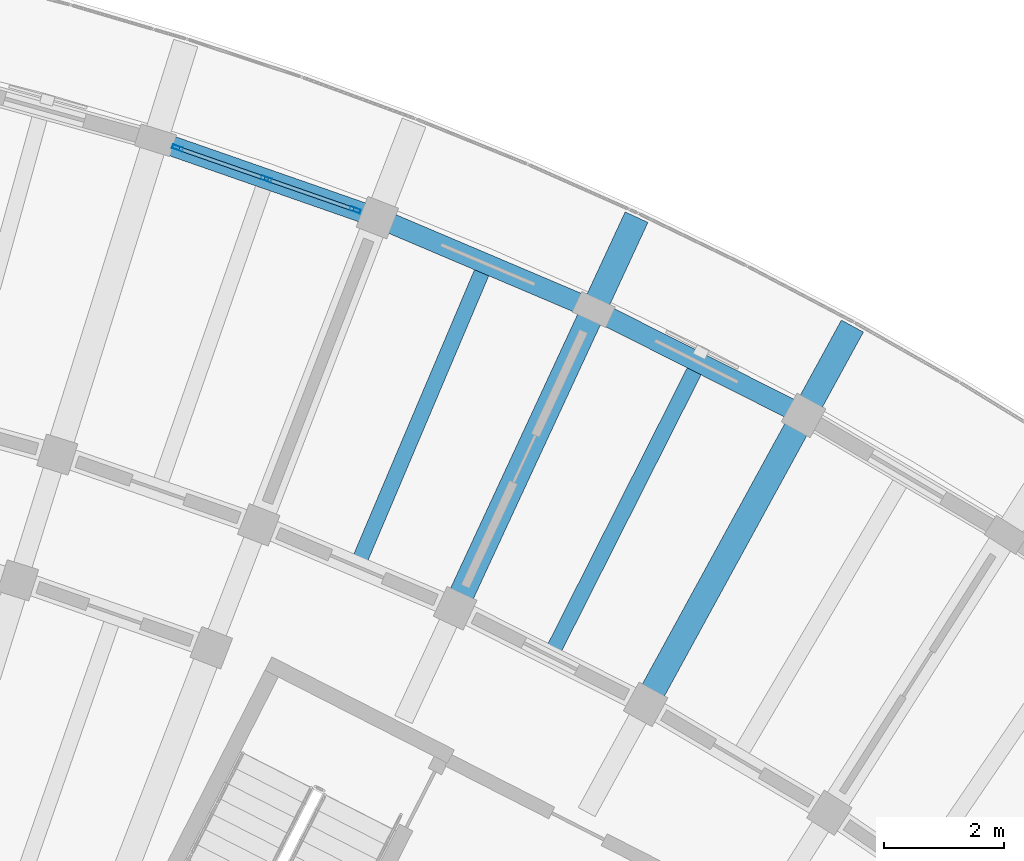
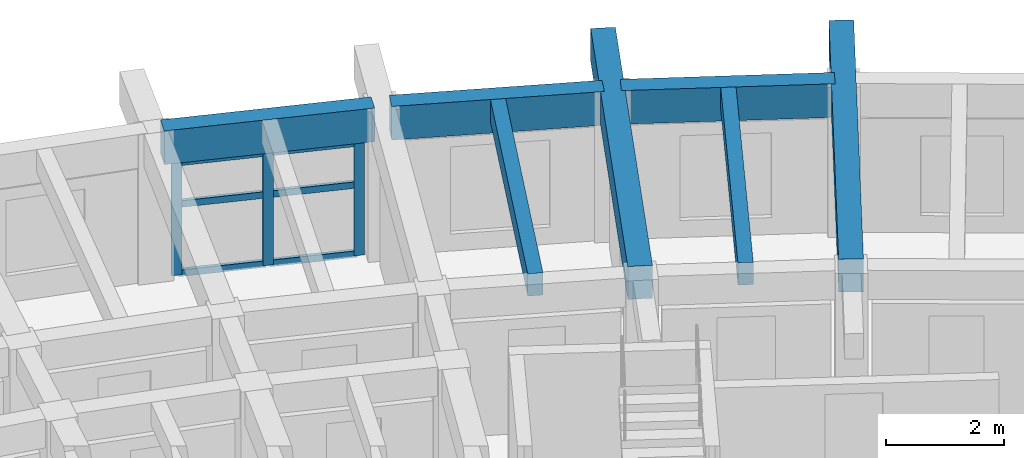
# One storey, part 40 of 96: 9 members, 7 beams, 1 element without a shape of its own.
"""IFC4 building model written with IfcOpenShell, lengths in metres."""

from ifc_helpers import new_model, si_unit, direction, frame, origin, origin_2d, place, context, subcontext, project, spatial, rectangle, hollow_rectangle, extrude, material, material_profile, profile_set, type_object, element, aggregate, save


model = new_model("IFC4")

# Units and contexts
model_context = context("Model", 3, precision=1e-05, world=origin(), true_north=direction((0.0, 1.0)))
body_context = subcontext(model_context, "Body", "Model", "MODEL_VIEW")
ifc_project = project(units=[si_unit("LENGTHUNIT", "METRE"), si_unit("AREAUNIT", "SQUARE_METRE"), si_unit("VOLUMEUNIT", "CUBIC_METRE"), si_unit("PLANEANGLEUNIT", "RADIAN"), si_unit("MASSUNIT", "GRAM", prefix="KILO")], contexts=[model_context])

# Site, building, storey
site_placement = place(None, origin())
site = spatial("IfcSite", under=ifc_project, at=site_placement, CompositionType="ELEMENT")
building_placement = place(site_placement, origin())
building = spatial("IfcBuilding", under=site, at=building_placement, Name="Tanwirah Colonnade Gardens", CompositionType="ELEMENT")
storey_placement = place(building_placement, frame((0.0, 0.0, 12.199951171875)))
storey = spatial("IfcBuildingStorey", under=building, at=storey_placement, Name="L03", CompositionType="ELEMENT", Elevation=12.199951171875)

# Beams
ifc_material_1 = material(Name="Precast concrete C45/55", Category="concrete")
ifc_material_profile_1 = material_profile(ifc_material_1, rectangle(XDim=0.419921875, YDim=0.679931640625, at=origin_2d()), Name="PC-BM 420x680")
ifc_profile_set_1 = profile_set([ifc_material_profile_1], Name="Precast concrete C45/55")
beam_type_1 = type_object("IfcBeamType", Name="BM-PC420", PredefinedType="BEAM", material=ifc_profile_set_1)
for number, where, z_axis, x_axis, name in (
    (1, (147.00048828125, 107.75634765625, 2.76513671875), (0.479686549155, 0.877439920769, 0.0), (-0.877439920769, 0.479686549155, 0.0), "Block B L03 Outer Radial Precast Girder 12"),
    (2, (143.810546875, 109.3662109375, 2.76513671875), (0.420855908645, 0.9071275016, 0.0), (-0.9071275016, 0.420855908645, 0.0), "Block B L03 Outer Radial Precast Girder 13"),
):
    element("IfcBeam", number, at=place(storey_placement, frame(where, z_axis=z_axis, x_axis=x_axis)), inside=storey, type_object=beam_type_1, Name=name, PredefinedType="BEAM", context=body_context, shape_type="SweptSolid", body=[
        extrude(rectangle(XDim=0.419921875, YDim=0.679931640625, at=origin_2d()), origin(), (0.0, 0.0, 1.0), 7.050048828125),
    ])

# Curtain wall, members
ifc_material_2 = material(Name="Bronze-anodised aluminium and solar-control low-E glass", Category="aluminium")
curtain_wall_type = type_object("IfcCurtainWallType", Name="CW-LOB", PredefinedType="NOTDEFINED", material=ifc_material_2)
curtain_wall_placement = place(storey_placement, origin())
curtain_wall = element("IfcCurtainWall", 3, at=curtain_wall_placement, inside=storey, type_object=curtain_wall_type, Name="Curtain Wall CW-B-L03-OUT-14", PredefinedType="NOTDEFINED")
ifc_material_3 = material(Name="Bronze-anodised aluminium", Category="aluminium")
ifc_material_profile_2 = material_profile(ifc_material_3, hollow_rectangle(XDim=0.06494140625, YDim=0.179931640625, WallThickness=0.00390625, at=origin_2d()), Name="CW-MUL 65x180x4")
ifc_profile_set_2 = profile_set([ifc_material_profile_2], Name="Bronze-anodised aluminium")
member_type_1 = type_object("IfcMemberType", Name="CWM-65x180", PredefinedType="MULLION", material=ifc_profile_set_2)
member_1_placement = place(storey_placement, frame((142.077880859375, 115.882568359375, 0.0), z_axis=(0.0, 0.0, 1.0), x_axis=(-0.329232195914, -0.944248993208, 0.0)))
member_1 = element("IfcMember", 4, at=member_1_placement, type_object=member_type_1, Name="CW-LOB mullion 1", PredefinedType="MULLION", context=body_context, shape_type="SweptSolid", body=[
    extrude(hollow_rectangle(XDim=0.06494140625, YDim=0.179931640625, WallThickness=0.00390625, at=origin_2d()), origin(), (0.0, 0.0, 1.0), 2.35498046875),
])
member_2_placement = place(storey_placement, frame((140.59521484375, 116.3994140625, 0.0), z_axis=(0.0, 0.0, 1.0), x_axis=(-0.329232195914, -0.944248993208, 0.0)))
member_2 = element("IfcMember", 5, at=member_2_placement, type_object=member_type_1, Name="CW-LOB mullion 2", PredefinedType="MULLION", context=body_context, shape_type="SweptSolid", body=[
    extrude(hollow_rectangle(XDim=0.06494140625, YDim=0.179931640625, WallThickness=0.00390625, at=origin_2d()), origin(), (0.0, 0.0, 1.0), 2.35498046875),
])
member_3_placement = place(storey_placement, frame((139.1123046875, 116.91650390625, 0.0), z_axis=(0.0, 0.0, 1.0), x_axis=(-0.329232195914, -0.944248993208, 0.0)))
member_3 = element("IfcMember", 6, at=member_3_placement, type_object=member_type_1, Name="CW-LOB mullion 3", PredefinedType="MULLION", context=body_context, shape_type="SweptSolid", body=[
    extrude(hollow_rectangle(XDim=0.06494140625, YDim=0.179931640625, WallThickness=0.00390625, at=origin_2d()), origin(), (0.0, 0.0, 1.0), 2.35498046875),
])
ifc_material_profile_3 = material_profile(ifc_material_3, hollow_rectangle(XDim=0.06494140625, YDim=0.135009765625, WallThickness=0.00390625, at=origin_2d()), Name="CW-TRN 65x135x4")
ifc_profile_set_3 = profile_set([ifc_material_profile_3], Name="Bronze-anodised aluminium")
member_type_2 = type_object("IfcMemberType", Name="CWT-65x135", PredefinedType="USERDEFINED", material=ifc_profile_set_3)
member_4_placement = place(storey_placement, frame((142.04736328125, 115.89306640625, 0.032470703125), z_axis=(-0.944264668156, 0.329187236194, 0.0), x_axis=(-0.329187236194, -0.944264668156, 0.0)))
member_4 = element("IfcMember", 7, at=member_4_placement, type_object=member_type_2, Name="CW-LOB transom 1.1", ObjectType="TRANSOM", PredefinedType="USERDEFINED", context=body_context, shape_type="SweptSolid", body=[
    extrude(hollow_rectangle(XDim=0.06494140625, YDim=0.135009765625, WallThickness=0.00390625, at=origin_2d()), origin(), (0.0, 0.0, 1.0), 1.505615234375),
])
member_5_placement = place(storey_placement, frame((142.04736328125, 115.89306640625, 1.460205078125), z_axis=(-0.944264668156, 0.329187236194, 0.0), x_axis=(-0.329187236194, -0.944264668156, 0.0)))
member_5 = element("IfcMember", 8, at=member_5_placement, type_object=member_type_2, Name="CW-LOB transom 1.2", ObjectType="TRANSOM", PredefinedType="USERDEFINED", context=body_context, shape_type="SweptSolid", body=[
    extrude(hollow_rectangle(XDim=0.06494140625, YDim=0.135009765625, WallThickness=0.00390625, at=origin_2d()), origin(), (0.0, 0.0, 1.0), 1.505615234375),
])
member_6_placement = place(storey_placement, frame((142.04736328125, 115.89306640625, 2.322509765625), z_axis=(-0.944264668156, 0.329187236194, 0.0), x_axis=(-0.329187236194, -0.944264668156, 0.0)))
member_6 = element("IfcMember", 9, at=member_6_placement, type_object=member_type_2, Name="CW-LOB transom 1.3", ObjectType="TRANSOM", PredefinedType="USERDEFINED", context=body_context, shape_type="SweptSolid", body=[
    extrude(hollow_rectangle(XDim=0.06494140625, YDim=0.135009765625, WallThickness=0.00390625, at=origin_2d()), origin(), (0.0, 0.0, 1.0), 1.505615234375),
])
member_7_placement = place(storey_placement, frame((140.564453125, 116.41015625, 0.032470703125), z_axis=(-0.944247091644, 0.329237649611, 0.0), x_axis=(-0.329237649611, -0.944247091644, 0.0)))
member_7 = element("IfcMember", 10, at=member_7_placement, type_object=member_type_2, Name="CW-LOB transom 2.1", ObjectType="TRANSOM", PredefinedType="USERDEFINED", context=body_context, shape_type="SweptSolid", body=[
    extrude(hollow_rectangle(XDim=0.06494140625, YDim=0.135009765625, WallThickness=0.00390625, at=origin_2d()), origin(), (0.0, 0.0, 1.0), 1.50537109375),
])
member_8_placement = place(storey_placement, frame((140.564453125, 116.41015625, 1.460205078125), z_axis=(-0.944247091644, 0.329237649611, 0.0), x_axis=(-0.329237649611, -0.944247091644, 0.0)))
member_8 = element("IfcMember", 11, at=member_8_placement, type_object=member_type_2, Name="CW-LOB transom 2.2", ObjectType="TRANSOM", PredefinedType="USERDEFINED", context=body_context, shape_type="SweptSolid", body=[
    extrude(hollow_rectangle(XDim=0.06494140625, YDim=0.135009765625, WallThickness=0.00390625, at=origin_2d()), origin(), (0.0, 0.0, 1.0), 1.50537109375),
])
member_9_placement = place(storey_placement, frame((140.564453125, 116.41015625, 2.322509765625), z_axis=(-0.944247091644, 0.329237649611, 0.0), x_axis=(-0.329237649611, -0.944247091644, 0.0)))
member_9 = element("IfcMember", 12, at=member_9_placement, type_object=member_type_2, Name="CW-LOB transom 2.3", ObjectType="TRANSOM", PredefinedType="USERDEFINED", context=body_context, shape_type="SweptSolid", body=[
    extrude(hollow_rectangle(XDim=0.06494140625, YDim=0.135009765625, WallThickness=0.00390625, at=origin_2d()), origin(), (0.0, 0.0, 1.0), 1.50537109375),
])
aggregate(curtain_wall, [member_1, member_2, member_3, member_4, member_5, member_6, member_7, member_8, member_9])

# Beams
ifc_material_4 = material(Name="Precast concrete C40/50", Category="concrete")
ifc_material_profile_4 = material_profile(ifc_material_4, rectangle(XDim=0.260009765625, YDim=0.4599609375, at=origin_2d()), Name="PC-JST 260x460")
ifc_profile_set_4 = profile_set([ifc_material_profile_4], Name="Precast concrete C40/50")
beam_type_2 = type_object("IfcBeamType", Name="JST-PC260", PredefinedType="JOIST", material=ifc_profile_set_4)
beam_1_placement = place(storey_placement, frame((145.4052734375, 108.560791015625, 2.875), z_axis=(0.450533699488, 0.892759422031, 0.0), x_axis=(-0.892759422031, 0.450533699488, 0.0)))
element("IfcBeam", 13, at=beam_1_placement, inside=storey, type_object=beam_type_2, Name="Block B L03 Precast Floor Joist 12", PredefinedType="JOIST", context=body_context, shape_type="SweptSolid", body=[
    extrude(rectangle(XDim=0.260009765625, YDim=0.4599609375, at=origin_2d()), origin(), (0.0, 0.0, 1.0), 5.26025390625),
])
beam_2_placement = place(storey_placement, frame((142.166015625, 110.063720703125, 2.875), z_axis=(0.390723870106, 0.92050793442, 0.0), x_axis=(-0.92050793442, 0.390723870106, 0.0)))
element("IfcBeam", 14, at=beam_2_placement, inside=storey, type_object=beam_type_2, Name="Block B L03 Precast Floor Joist 13", PredefinedType="JOIST", context=body_context, shape_type="SweptSolid", body=[
    extrude(rectangle(XDim=0.260009765625, YDim=0.4599609375, at=origin_2d()), origin(), (0.0, 0.0, 1.0), 5.260009765625),
])
ifc_material_profile_5 = material_profile(ifc_material_4, rectangle(XDim=0.3349609375, YDim=0.695068359375, at=origin_2d()), Name="PC-SP 335x695")
ifc_profile_set_5 = profile_set([ifc_material_profile_5], Name="Precast concrete C40/50")
beam_type_3 = type_object("IfcBeamType", Name="SP-PC300", PredefinedType="SPANDREL", material=ifc_profile_set_5)
beam_3_placement = place(storey_placement, frame((149.43310546875, 112.518310546875, 2.757568359375), z_axis=(-0.892764670911, 0.450523298368, 0.0), x_axis=(-0.450523298368, -0.892764670911, 0.0)))
element("IfcBeam", 15, at=beam_3_placement, inside=storey, type_object=beam_type_3, Name="Block B L03 Circumferential Beam 12-R3", PredefinedType="SPANDREL", context=body_context, shape_type="SweptSolid", body=[
    extrude(rectangle(XDim=0.3349609375, YDim=0.695068359375, at=origin_2d()), origin(), (0.0, 0.0, 1.0), 3.6259765625),
])
for number, where, z_axis, x_axis, name in (
    (16, (145.924072265625, 114.27783203125, 2.757568359375), (-0.920494456807, 0.390755620545, 0.0), (-0.390755620545, -0.920494456807, 0.0), "Block B L03 Circumferential Beam 13-R3"),
    (17, (142.306884765625, 115.802490234375, 2.757568359375), (-0.944236700093, 0.329267450863, 0.0), (-0.329267450863, -0.944236700093, 0.0), "Block B L03 Circumferential Beam 14-R3"),
):
    element("IfcBeam", number, at=place(storey_placement, frame(where, z_axis=z_axis, x_axis=x_axis)), inside=storey, type_object=beam_type_3, Name=name, PredefinedType="SPANDREL", context=body_context, shape_type="SweptSolid", body=[
        extrude(rectangle(XDim=0.3349609375, YDim=0.695068359375, at=origin_2d()), origin(), (0.0, 0.0, 1.0), 3.625732421875),
    ])

save(model, "model.ifc")
